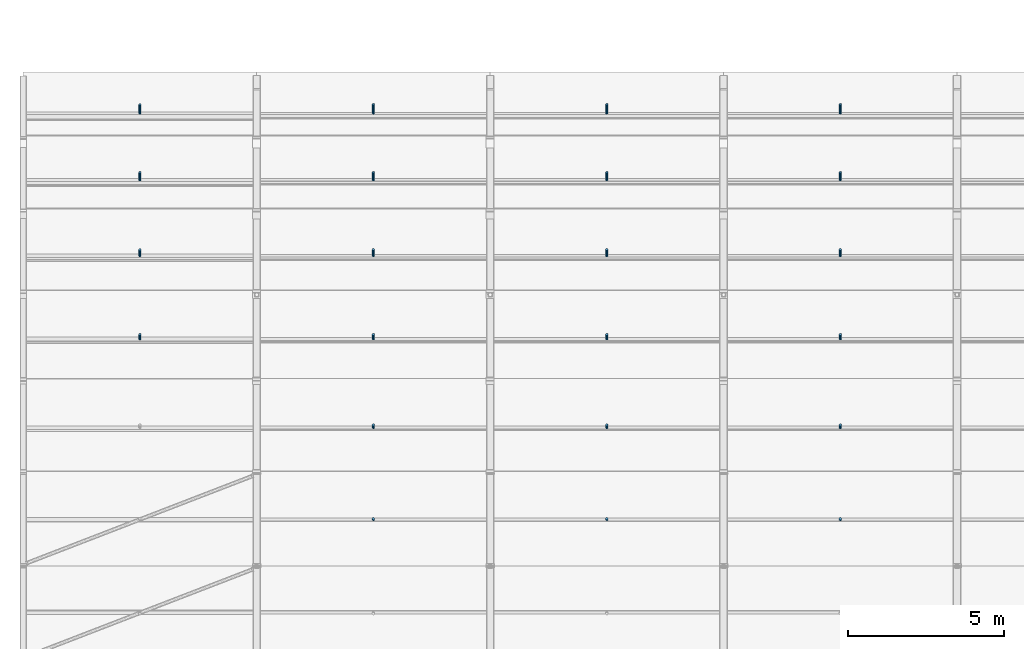
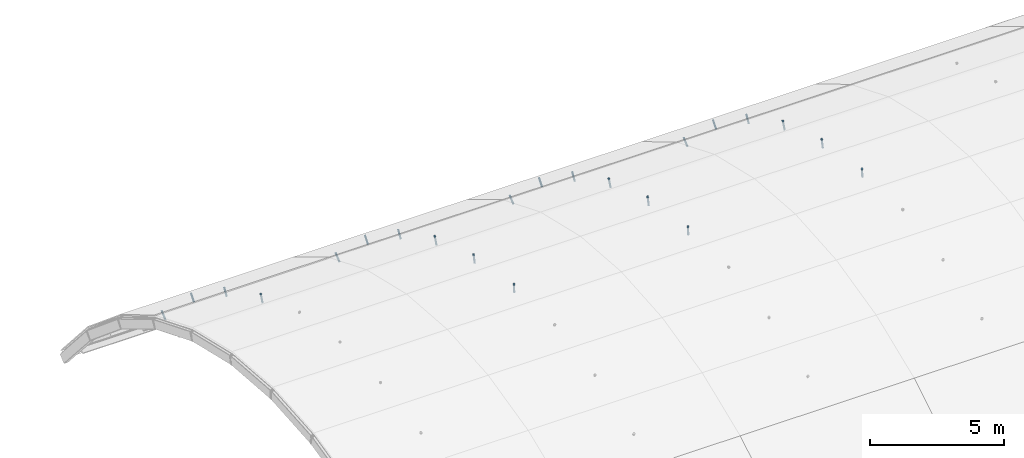
# One storey, part 67 of 77: 22 discrete accessories.
"""IFC4 building model written with IfcOpenShell, lengths in metres."""

from ifc_helpers import new_model, si_unit, direction, frame, origin, origin_2d, place, context, subcontext, project, spatial, circle, extrude, material, type_object, element, save


model = new_model("IFC4")

# Units and contexts
model_context = context("Model", 3, precision=1e-05, world=origin(), true_north=direction((0.0, 1.0)))
body_context = subcontext(model_context, "Body", "Model", "MODEL_VIEW")
ifc_project = project(units=[si_unit("LENGTHUNIT", "METRE"), si_unit("AREAUNIT", "SQUARE_METRE"), si_unit("VOLUMEUNIT", "CUBIC_METRE"), si_unit("PLANEANGLEUNIT", "RADIAN"), si_unit("MASSUNIT", "GRAM", prefix="KILO")], contexts=[model_context])

# Site, building, storey
site_placement = place(None, origin())
site = spatial("IfcSite", under=ifc_project, at=site_placement, CompositionType="ELEMENT")
building_placement = place(site_placement, origin())
building = spatial("IfcBuilding", under=site, at=building_placement, Name="Yukiwa Park Conservatory and Herbarium", CompositionType="ELEMENT")
storey_placement = place(building_placement, frame((0.0, 0.0, 13.199951171875)))
storey = spatial("IfcBuildingStorey", under=building, at=storey_placement, Name="L03", CompositionType="ELEMENT", Elevation=13.199951171875)

# Discrete accessories
ifc_material = material(Name="Steel Q355D", Category="steel")
discrete_accessory_type = type_object("IfcDiscreteAccessoryType", Name="ACC-SPIDER-BRACKET", PredefinedType="BRACKET", material=ifc_material)
for number, where, z_axis, x_axis, name in (
    (1, (3.75, 22.89453125, 2.03076171875), (0.0, 0.376891026254, 0.926257606894), (-1.0, 0.0, 0.0), "Conservatory glazing spider bracket 1.9"),
    (2, (3.75, 25.56787109375, 0.694091796875), (0.0, 0.514871469763, 0.857267385139), (-1.0, 0.0, 0.0), "Conservatory glazing spider bracket 1.10"),
):
    element("IfcDiscreteAccessory", number, at=place(storey_placement, frame(where, z_axis=z_axis, x_axis=x_axis)), inside=storey, type_object=discrete_accessory_type, Name=name, PredefinedType="BRACKET", context=body_context, shape_type="SweptSolid", body=[
        extrude(circle(Radius=0.0400390625, at=origin_2d()), origin(), (0.0, 0.0, 1.0), 0.382080078125),
    ])
discrete_accessory_1_placement = place(storey_placement, frame((3.75, 28.00341796875, -1.0380859375), z_axis=(0.0, 0.640686901787, 0.767802249201), x_axis=(-1.0, 0.0, 0.0)))
element("IfcDiscreteAccessory", 3, at=discrete_accessory_1_placement, inside=storey, type_object=discrete_accessory_type, Name="Conservatory glazing spider bracket 1.11", PredefinedType="BRACKET", context=body_context, shape_type="SweptSolid", body=[
    extrude(circle(Radius=0.0400390625, at=origin_2d()), origin(), (0.0, 0.0, 1.0), 0.38232421875),
])
discrete_accessory_2_placement = place(storey_placement, frame((3.75, 30.143310546875, -3.12451171875), z_axis=(0.0, 0.751308874164, 0.659950737254), x_axis=(-1.0, 0.0, 0.0)))
element("IfcDiscreteAccessory", 4, at=discrete_accessory_2_placement, inside=storey, type_object=discrete_accessory_type, Name="Conservatory glazing spider bracket 1.12", PredefinedType="BRACKET", context=body_context, shape_type="SweptSolid", body=[
    extrude(circle(Radius=0.0400390625, at=origin_2d()), origin(), (0.0, 0.0, 1.0), 0.382080078125),
])
for number, where, z_axis, x_axis, name in (
    (5, (11.25, 17.094482421875, 3.400146484375), (0.0, 0.077220326377, 0.997014052656), (-1.0, 0.0, 0.0), "Conservatory glazing spider bracket 2.7"),
    (6, (11.25, 20.047607421875, 2.93994140625), (0.0, 0.229178177761, 0.973384488698), (-1.0, 0.0, 0.0), "Conservatory glazing spider bracket 2.8"),
    (7, (11.25, 22.89453125, 2.03076171875), (0.0, 0.376644212225, 0.926357996348), (-1.0, 0.0, 0.0), "Conservatory glazing spider bracket 2.9"),
    (8, (11.25, 25.56787109375, 0.694091796875), (0.0, 0.514861923688, 0.857273118403), (-1.0, 0.0, 0.0), "Conservatory glazing spider bracket 2.10"),
    (9, (11.25, 28.00341796875, -1.0380859375), (0.0, 0.640735457836, 0.767761729361), (-1.0, 0.0, 0.0), "Conservatory glazing spider bracket 2.11"),
    (10, (11.25, 30.143310546875, -3.12451171875), (0.0, 0.751379998417, 0.659869758345), (-1.0, 0.0, 0.0), "Conservatory glazing spider bracket 2.12"),
    (11, (18.75, 17.094482421875, 3.400146484375), (0.0, 0.077220326377, 0.997014052656), (-1.0, 0.0, 0.0), "Conservatory glazing spider bracket 3.7"),
    (12, (18.75, 20.047607421875, 2.93994140625), (0.0, 0.229178177761, 0.973384488698), (-1.0, 0.0, 0.0), "Conservatory glazing spider bracket 3.8"),
    (13, (18.75, 22.89453125, 2.03076171875), (0.0, 0.376644212225, 0.926357996348), (-1.0, 0.0, 0.0), "Conservatory glazing spider bracket 3.9"),
    (14, (18.75, 25.56787109375, 0.694091796875), (0.0, 0.514861923688, 0.857273118403), (-1.0, 0.0, 0.0), "Conservatory glazing spider bracket 3.10"),
    (15, (18.75, 28.00341796875, -1.0380859375), (0.0, 0.640735457836, 0.767761729361), (-1.0, 0.0, 0.0), "Conservatory glazing spider bracket 3.11"),
    (16, (18.75, 30.143310546875, -3.12451171875), (0.0, 0.751379998417, 0.659869758345), (-1.0, 0.0, 0.0), "Conservatory glazing spider bracket 3.12"),
    (17, (26.25, 17.094482421875, 3.400146484375), (0.0, 0.077220326377, 0.997014052656), (-1.0, 0.0, 0.0), "Conservatory glazing spider bracket 4.7"),
    (18, (26.25, 20.047607421875, 2.93994140625), (0.0, 0.229178177761, 0.973384488698), (-1.0, 0.0, 0.0), "Conservatory glazing spider bracket 4.8"),
    (19, (26.25, 22.89453125, 2.03076171875), (0.0, 0.376644212225, 0.926357996348), (-1.0, 0.0, 0.0), "Conservatory glazing spider bracket 4.9"),
    (20, (26.25, 25.56787109375, 0.694091796875), (0.0, 0.514861923688, 0.857273118403), (-1.0, 0.0, 0.0), "Conservatory glazing spider bracket 4.10"),
    (21, (26.25, 28.00341796875, -1.0380859375), (0.0, 0.640735457836, 0.767761729361), (-1.0, 0.0, 0.0), "Conservatory glazing spider bracket 4.11"),
    (22, (26.25, 30.143310546875, -3.12451171875), (0.0, 0.751379998417, 0.659869758345), (-1.0, 0.0, 0.0), "Conservatory glazing spider bracket 4.12"),
):
    element("IfcDiscreteAccessory", number, at=place(storey_placement, frame(where, z_axis=z_axis, x_axis=x_axis)), inside=storey, type_object=discrete_accessory_type, Name=name, PredefinedType="BRACKET", context=body_context, shape_type="SweptSolid", body=[
        extrude(circle(Radius=0.0400390625, at=origin_2d()), origin(), (0.0, 0.0, 1.0), 0.39208984375),
    ])

save(model, "model.ifc")
